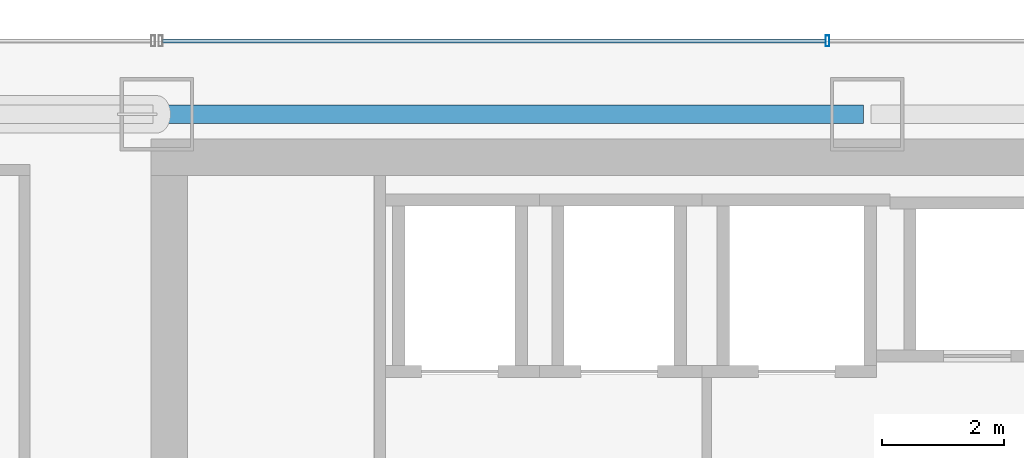
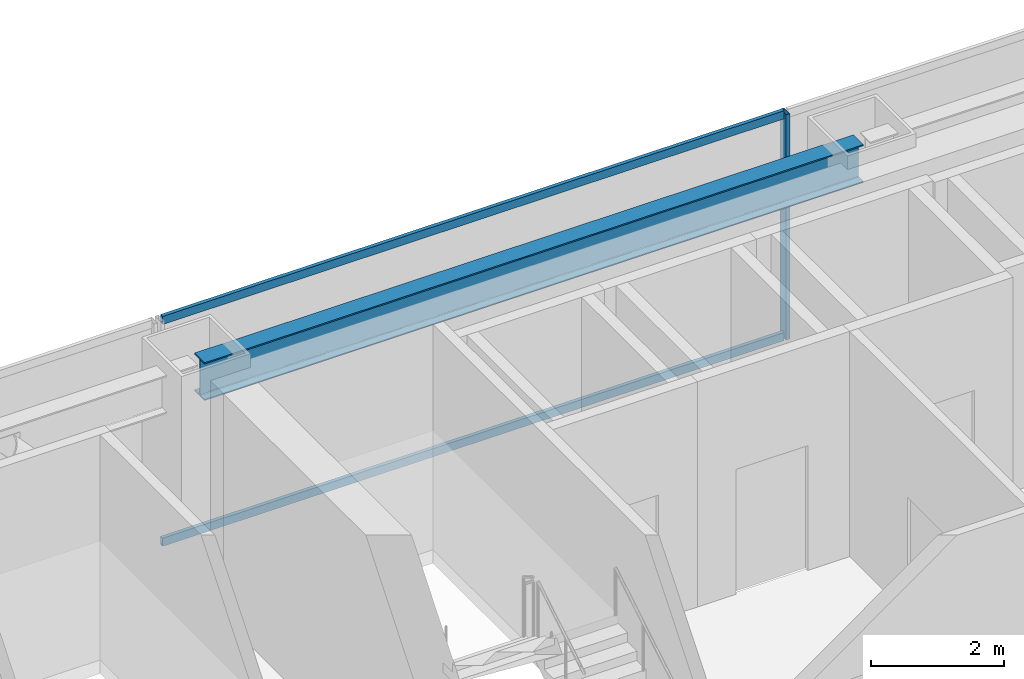
# One storey, part 27 of 49: 3 members, 1 beam, 1 element without a shape of its own.
"""IFC4 building model written with IfcOpenShell, lengths in metres."""

from ifc_helpers import new_model, si_unit, direction, frame, origin, origin_2d, place, context, subcontext, project, spatial, hollow_rectangle, i_section, extrude, material, material_profile, profile_set, type_object, element, aggregate, save


model = new_model("IFC4")

# Units and contexts
model_context = context("Model", 3, precision=1e-05, world=origin(), true_north=direction((0.0, 1.0)))
body_context = subcontext(model_context, "Body", "Model", "MODEL_VIEW")
ifc_project = project(units=[si_unit("LENGTHUNIT", "METRE"), si_unit("AREAUNIT", "SQUARE_METRE"), si_unit("VOLUMEUNIT", "CUBIC_METRE"), si_unit("PLANEANGLEUNIT", "RADIAN"), si_unit("MASSUNIT", "GRAM", prefix="KILO")], contexts=[model_context])

# Site, building, storey
site_placement = place(None, origin())
site = spatial("IfcSite", under=ifc_project, at=site_placement, CompositionType="ELEMENT")
building_placement = place(site_placement, origin())
building = spatial("IfcBuilding", under=site, at=building_placement, Name="Saevonmaru Cultural Tower", CompositionType="ELEMENT")
storey_placement = place(building_placement, frame((0.0, 0.0, 73.60009765625)))
storey = spatial("IfcBuildingStorey", under=building, at=storey_placement, Name="L15", CompositionType="ELEMENT", Elevation=73.60009765625)

# Beam
ifc_material_1 = material(Name="Steel SM355", Category="steel")
ifc_material_profile_1 = material_profile(ifc_material_1, i_section(OverallWidth=0.300048828125, OverallDepth=0.699951171875, WebThickness=0.012939453125, FlangeThickness=0.02392578125, FilletRadius=0.02587890625, at=origin_2d()), Name="H-700x300x13x24")
ifc_profile_set_1 = profile_set([ifc_material_profile_1], Name="Steel SM355")
beam_type = type_object("IfcBeamType", Name="BM-SP-H700", PredefinedType="SPANDREL", material=ifc_profile_set_1)
beam_placement = place(storey_placement, frame((13.659912109375, 54.800048828125, 3.7998046875), z_axis=(1.0, 0.0, 0.0), x_axis=(0.0, 1.0, 0.0)))
element("IfcBeam", 1, at=beam_placement, inside=storey, type_object=beam_type, Name="L15 North Spine Girder 2", PredefinedType="SPANDREL", context=body_context, shape_type="SweptSolid", body=[
    extrude(i_section(OverallWidth=0.300048828125, OverallDepth=0.699951171875, WebThickness=0.012939453125, FlangeThickness=0.02392578125, FilletRadius=0.02587890625, at=origin_2d()), origin(), (0.0, 0.0, 1.0), 11.47998046875),
])

# Curtain wall, members
ifc_material_2 = material(Name="Satin Bronze Anodised Aluminium", Category="aluminium")
curtain_wall_type = type_object("IfcCurtainWallType", Name="CW-TYP-A", PredefinedType="NOTDEFINED", material=ifc_material_2)
curtain_wall_placement = place(storey_placement, origin())
curtain_wall = element("IfcCurtainWall", 2, at=curtain_wall_placement, inside=storey, type_object=curtain_wall_type, Name="L15 North Spine Unitised Curtain Wall E10B", PredefinedType="NOTDEFINED")
ifc_material_profile_2 = material_profile(ifc_material_2, hollow_rectangle(XDim=0.06494140625, YDim=0.179931640625, WallThickness=0.00390625, at=origin_2d()), Name="ALU-MULL-180x65x4")
ifc_profile_set_2 = profile_set([ifc_material_profile_2], Name="Satin Bronze Anodised Aluminium")
member_type_1 = type_object("IfcMemberType", Name="ML-CW-180x65", PredefinedType="MULLION", material=ifc_profile_set_2)
member_1_placement = place(storey_placement, frame((24.55322265625, 56.0, 0.0), z_axis=(0.0, 0.0, 1.0), x_axis=(-1.0, 0.0, 0.0)))
member_1 = element("IfcMember", 3, at=member_1_placement, type_object=member_type_1, Name="CW-TW-L15-E10B mullion 3", PredefinedType="MULLION", context=body_context, shape_type="SweptSolid", body=[
    extrude(hollow_rectangle(XDim=0.06494140625, YDim=0.179931640625, WallThickness=0.00390625, at=origin_2d()), origin(), (0.0, 0.0, 1.0), 4.14990234375),
])
ifc_material_profile_3 = material_profile(ifc_material_2, hollow_rectangle(XDim=0.06494140625, YDim=0.14990234375, WallThickness=0.00390625, at=origin_2d()), Name="ALU-TRAN-150x65x4")
ifc_profile_set_3 = profile_set([ifc_material_profile_3], Name="Satin Bronze Anodised Aluminium")
member_type_2 = type_object("IfcMemberType", Name="TR-CW-150x65", PredefinedType="USERDEFINED", material=ifc_profile_set_3)
member_2_placement = place(storey_placement, frame((24.520751953125, 56.0, 0.032470703125), z_axis=(-1.0, 0.0, 0.0), x_axis=(0.0, -1.0, 0.0)))
member_2 = element("IfcMember", 4, at=member_2_placement, type_object=member_type_2, Name="CW-TW-L15-E10B transom 3.1", ObjectType="TRANSOM", PredefinedType="USERDEFINED", context=body_context, shape_type="SweptSolid", body=[
    extrude(hollow_rectangle(XDim=0.06494140625, YDim=0.14990234375, WallThickness=0.00390625, at=origin_2d()), origin(), (0.0, 0.0, 1.0), 10.828369140625),
])
member_3_placement = place(storey_placement, frame((24.520751953125, 56.0, 4.117431640625), z_axis=(-1.0, 0.0, 0.0), x_axis=(0.0, -1.0, 0.0)))
member_3 = element("IfcMember", 5, at=member_3_placement, type_object=member_type_2, Name="CW-TW-L15-E10B transom 3.2", ObjectType="TRANSOM", PredefinedType="USERDEFINED", context=body_context, shape_type="SweptSolid", body=[
    extrude(hollow_rectangle(XDim=0.06494140625, YDim=0.14990234375, WallThickness=0.00390625, at=origin_2d()), origin(), (0.0, 0.0, 1.0), 10.828369140625),
])
aggregate(curtain_wall, [member_1, member_2, member_3])

save(model, "model.ifc")
